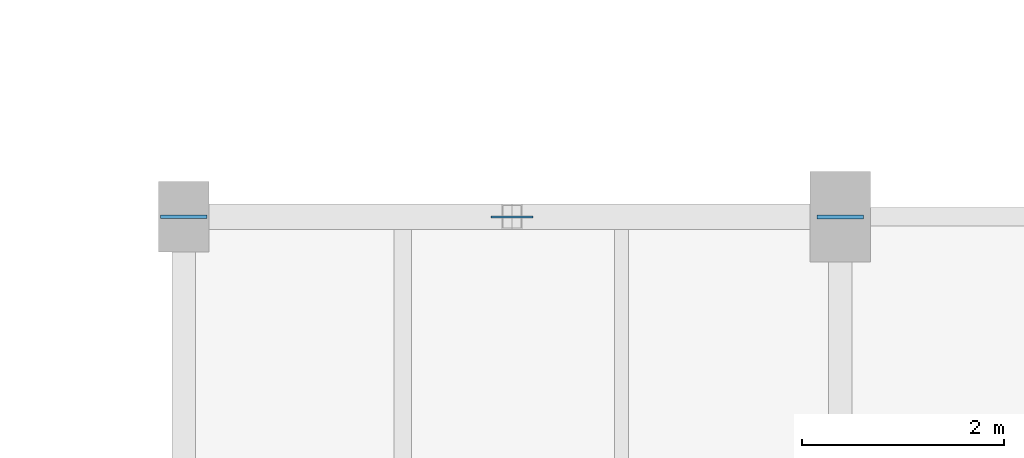
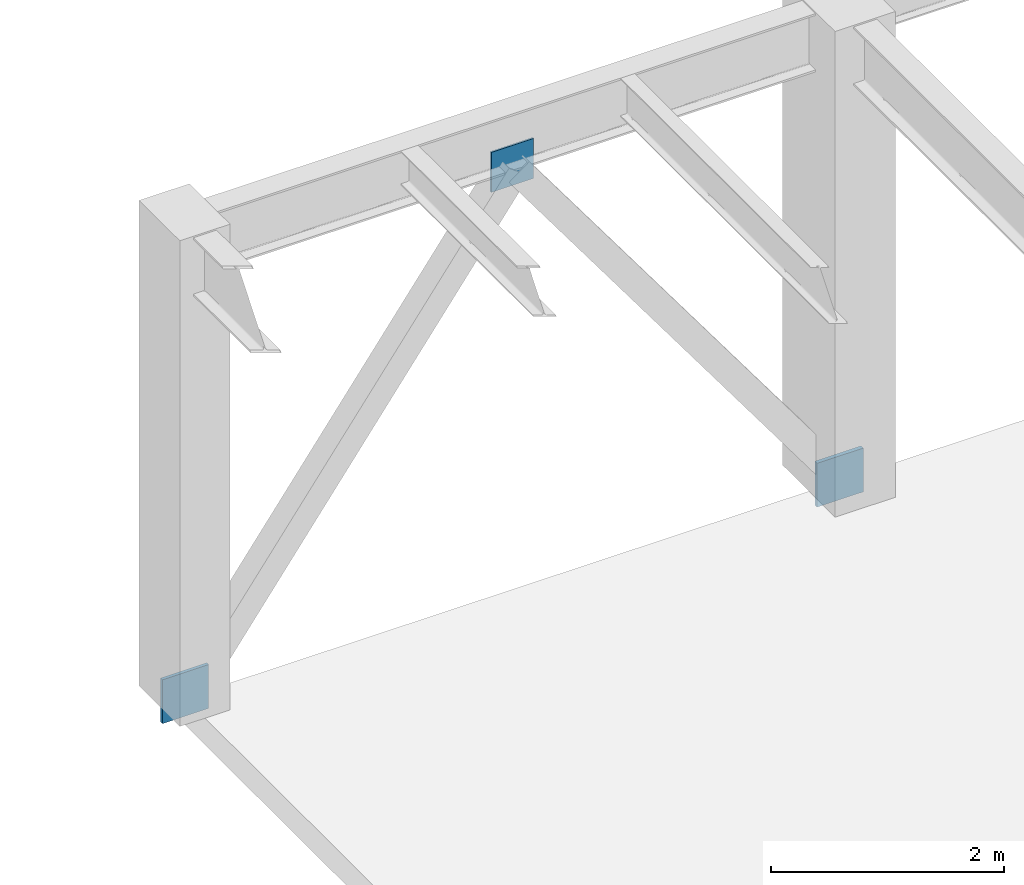
# One storey, part 165 of 203: 3 plates.
"""IFC4 building model written with IfcOpenShell, lengths in metres."""

from ifc_helpers import new_model, si_unit, direction, frame, origin, origin_2d, place, context, subcontext, project, spatial, rectangle, extrude, material, layer, layer_set, type_object, element, save


model = new_model("IFC4")

# Units and contexts
model_context = context("Model", 3, precision=1e-05, world=origin(), true_north=direction((0.0, 1.0)))
body_context = subcontext(model_context, "Body", "Model", "MODEL_VIEW")
ifc_project = project(units=[si_unit("LENGTHUNIT", "METRE"), si_unit("AREAUNIT", "SQUARE_METRE"), si_unit("VOLUMEUNIT", "CUBIC_METRE"), si_unit("PLANEANGLEUNIT", "RADIAN"), si_unit("MASSUNIT", "GRAM", prefix="KILO"), si_unit("THERMODYNAMICTEMPERATUREUNIT", "KELVIN"), si_unit("POWERUNIT", "WATT")], contexts=[model_context])

# Site, building, storey
site_placement = place(None, origin())
site = spatial("IfcSite", under=ifc_project, at=site_placement, CompositionType="ELEMENT")
building_placement = place(site_placement, origin())
building = spatial("IfcBuilding", under=site, at=building_placement, Name="Tepalcoro Natatorium and Aquatics Centre", CompositionType="ELEMENT")
storey_placement = place(building_placement, origin())
storey = spatial("IfcBuildingStorey", under=building, at=storey_placement, Name="L00", CompositionType="ELEMENT", Elevation=0.0)

# Plates
ifc_material = material(Name="Plate Steel ASTM A572 Grade 50 (Fy 345 MPa)", Category="steel")
ifc_layer_1 = layer(ifc_material, 0.031982421875)
ifc_layer_set_1 = layer_set([ifc_layer_1], Name="Plate Steel ASTM A572 Grade 50 (Fy 345 MPa)")
plate_type_1 = type_object("IfcPlateType", Name="PL_CAP_32", PredefinedType="USERDEFINED", material=ifc_layer_set_1)
plate_1_placement = place(storey_placement, frame((40.0, 72.0, -0.179931640625), z_axis=(0.0, 0.0, 1.0), x_axis=(1.0, 0.0, 0.0)))
element("IfcPlate", 1, at=plate_1_placement, inside=storey, type_object=plate_type_1, Name="Truss Node Cap Plate BRB_2", ObjectType="CAP PLATE", PredefinedType="USERDEFINED", context=body_context, shape_type="SweptSolid", body=[
    extrude(rectangle(XDim=0.4599609375, YDim=0.031982421875, at=origin_2d()), origin(), (0.0, 0.0, 1.0), 0.4599609375),
])
ifc_layer_2 = layer(ifc_material, 0.02001953125)
ifc_layer_set_2 = layer_set([ifc_layer_2], Name="Plate Steel ASTM A572 Grade 50 (Fy 345 MPa)")
plate_type_2 = type_object("IfcPlateType", Name="PL_GUSSET_20", PredefinedType="USERDEFINED", material=ifc_layer_set_2)
plate_2_placement = place(storey_placement, frame((43.25, 72.0, 4.25), z_axis=(0.0, 0.0, 1.0), x_axis=(1.0, 0.0, 0.0)))
element("IfcPlate", 2, at=plate_2_placement, inside=storey, type_object=plate_type_2, Name="V1 L00 Chevron Gusset Plate GP1", ObjectType="GUSSET PLATE", PredefinedType="USERDEFINED", context=body_context, shape_type="SweptSolid", body=[
    extrude(rectangle(XDim=0.419921875, YDim=0.02001953125, at=origin_2d()), origin(), (0.0, 0.0, 1.0), 0.419921875),
])
ifc_layer_3 = layer(ifc_material, 0.0400390625)
ifc_layer_set_3 = layer_set([ifc_layer_3], Name="Plate Steel ASTM A572 Grade 50 (Fy 345 MPa)")
plate_type_3 = type_object("IfcPlateType", Name="PL_GUSSET_40", PredefinedType="USERDEFINED", material=ifc_layer_set_3)
plate_3_placement = place(storey_placement, frame((46.5, 72.0, -0.179931640625), z_axis=(0.0, 0.0, 1.0), x_axis=(1.0, 0.0, 0.0)))
element("IfcPlate", 3, at=plate_3_placement, inside=storey, type_object=plate_type_3, Name="Truss Node Gusset Plate BRB_2", ObjectType="GUSSET PLATE", PredefinedType="USERDEFINED", context=body_context, shape_type="SweptSolid", body=[
    extrude(rectangle(XDim=0.4599609375, YDim=0.0400390625, at=origin_2d()), origin(), (0.0, 0.0, 1.0), 0.4599609375),
])

save(model, "model.ifc")
